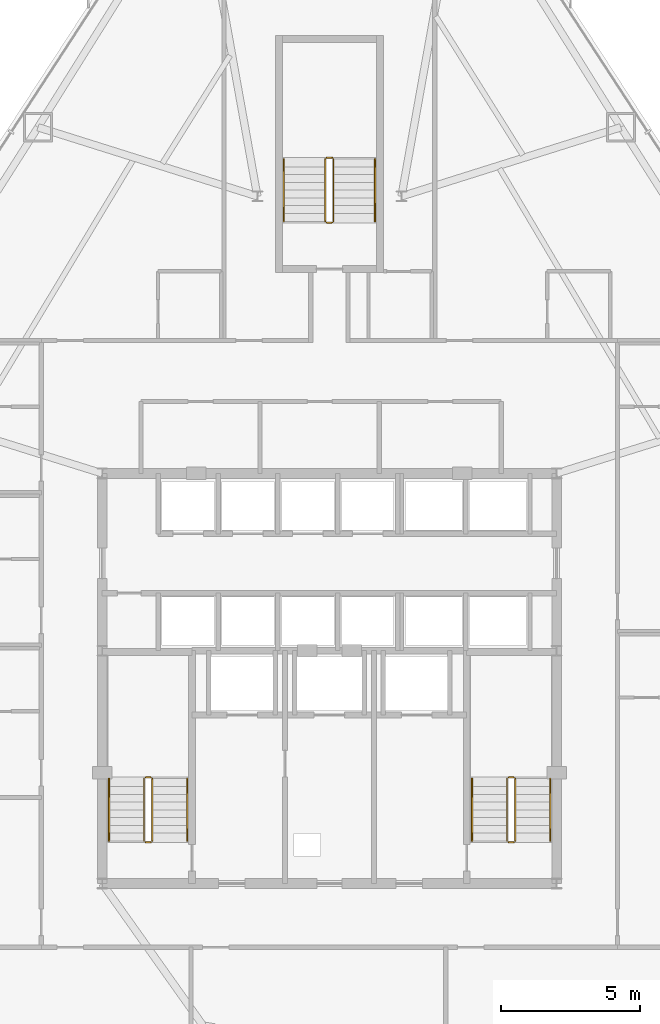
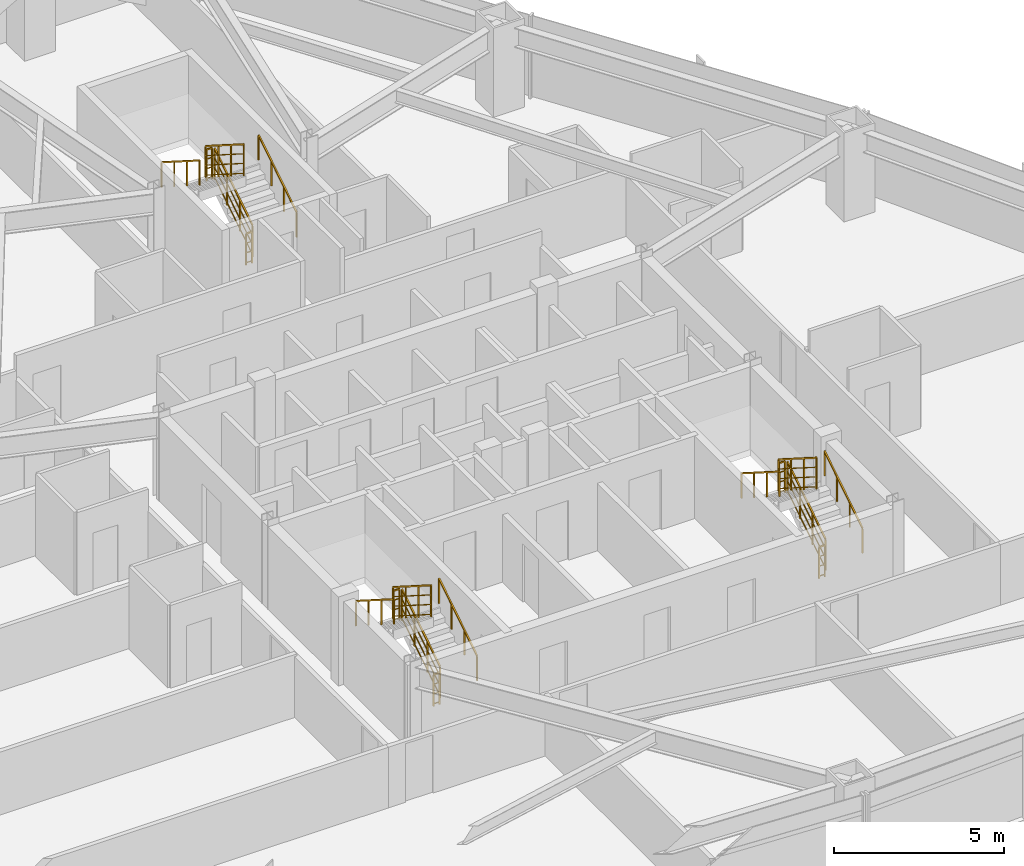
# One storey, part 12 of 12: 18 railings.
"""IFC4 building model written with IfcOpenShell, lengths in metres."""

import ifcopenshell
import ifcopenshell.guid

model = None  # the IFC model being written
_history = None  # IfcOwnerHistory: only IFC2X3 demands one
_inside = {}  # id of a spatial element -> (the spatial element, [elements in it])
_under = {}  # id of a project, library or spatial element -> (it, [spatial elements below it])
_declared = {}  # id of a project -> (the project, [libraries it declares])
_typed = {}  # id of a type object -> (the type object, [elements of that type])
_made_of = {}  # id of a material, layer set ... -> (it, [elements and type objects made of it])


def new_model(schema):
    """Start an empty IFC model of exactly this schema.

    Asked for "IFC4X3", IfcOpenShell would pick the latest addendum, in which some entities
    have other attributes; the version numbers below select the first issue.
    IFC2X3 requires an IfcOwnerHistory on every rooted entity: one is made here for all.
    """
    global model, _history
    if schema == "IFC4X3":
        model = ifcopenshell.file(schema_version=(4, 3, 0, 0))
    else:
        model = ifcopenshell.file(schema=schema)
    _inside.clear()
    _under.clear()
    _declared.clear()
    _typed.clear()
    _made_of.clear()
    _history = None
    if model.schema == "IFC2X3":
        org = make("IfcOrganization", Name="unknown")
        user = make(
            "IfcPersonAndOrganization",
            ThePerson=make("IfcPerson", FamilyName="unknown"),
            TheOrganization=org,
        )
        app = make(
            "IfcApplication",
            ApplicationDeveloper=org,
            Version="unknown",
            ApplicationFullName="unknown",
            ApplicationIdentifier="unknown",
        )
        _history = make(
            "IfcOwnerHistory",
            OwningUser=user,
            OwningApplication=app,
            ChangeAction="ADDED",
            CreationDate=0,
        )
    return model


def make(cls, **values):
    """One entity of the class cls with the attributes given. An attribute that is None is left unset."""
    return model.create_entity(
        cls, **{name: value for name, value in values.items() if value is not None}
    )


def rooted(cls, **values):
    """An entity with a GlobalId (a new one), such as an element, a storey or a relation."""
    return make(cls, GlobalId=ifcopenshell.guid.new(), OwnerHistory=_history, **values)


def si_unit(unit_type, name, prefix=None):
    """IfcSIUnit, for example si_unit("LENGTHUNIT", "METRE", prefix="MILLI")."""
    return make("IfcSIUnit", UnitType=unit_type, Prefix=prefix, Name=name)


def assignment(units):
    """IfcUnitAssignment: the units of a project."""
    return None if units is None else make("IfcUnitAssignment", Units=units)


def point(xyz):
    """IfcCartesianPoint."""
    return None if xyz is None else make("IfcCartesianPoint", Coordinates=xyz)


def direction(xyz):
    """IfcDirection."""
    return None if xyz is None else make("IfcDirection", DirectionRatios=xyz)


def frame(location, z_axis=None, x_axis=None):
    """IfcAxis2Placement3D, a coordinate frame: its origin and axes. An axis left out is left unset."""
    return make(
        "IfcAxis2Placement3D",
        Location=point(location),
        Axis=direction(z_axis),
        RefDirection=direction(x_axis),
    )


def frame_2d(location, x_axis=None):
    """IfcAxis2Placement2D, a coordinate frame in the plane: its origin and x axis."""
    return make(
        "IfcAxis2Placement2D", Location=point(location), RefDirection=direction(x_axis)
    )


def origin():
    """The frame at (0, 0, 0) with its axes left unset."""
    return frame((0.0, 0.0, 0.0))


def origin_2d():
    """The frame at (0, 0) in the plane with its x axis left unset."""
    return frame_2d((0.0, 0.0))


def place(relative_to, where):
    """IfcLocalPlacement: puts the frame where relative to a parent placement (None: the world)."""
    return make(
        "IfcLocalPlacement", PlacementRelTo=relative_to, RelativePlacement=where
    )


def context(
    kind, dimensions, precision=None, world=None, true_north=None, identifier=None
):
    """IfcGeometricRepresentationContext, for example the 3D "Model" context."""
    return make(
        "IfcGeometricRepresentationContext",
        ContextIdentifier=identifier,
        ContextType=kind,
        CoordinateSpaceDimension=dimensions,
        Precision=precision,
        WorldCoordinateSystem=world,
        TrueNorth=true_north,
    )


def subcontext(parent, identifier, kind, view, scale=None):
    """IfcGeometricRepresentationSubContext, for example "Body" below "Model"."""
    return make(
        "IfcGeometricRepresentationSubContext",
        ContextIdentifier=identifier,
        ContextType=kind,
        ParentContext=parent,
        TargetScale=scale,
        TargetView=view,
    )


def project(units=None, contexts=None):
    """IfcProject with its units and contexts."""
    return rooted(
        "IfcProject",
        Name="project",
        RepresentationContexts=contexts,
        UnitsInContext=assignment(units),
    )


def spatial(cls, under=None, at=None, **own):
    """A site, building, storey or space (cls), placed at a placement, below another one or the project."""
    s = rooted(cls, ObjectPlacement=at, **own)
    if under is not None:
        _under.setdefault(under.id(), (under, []))[1].append(s)
    return s


def profile(cls, at=None, kind="AREA", **sizes):
    """A parametric profile (cls). Its sizes go by their IFC names, for example OverallWidth=200.0."""
    return make(cls, ProfileType=kind, Position=at, **sizes)


def rectangle(**sizes):
    """IfcRectangleProfileDef."""
    return profile("IfcRectangleProfileDef", **sizes)


def extrude(swept, where, along, depth):
    """IfcExtrudedAreaSolid: the profile swept, set in the frame where, extruded along a direction by depth."""
    return make(
        "IfcExtrudedAreaSolid",
        SweptArea=swept,
        Position=where,
        ExtrudedDirection=direction(along),
        Depth=depth,
    )


def shape(context_of_items, identifier, shape_type, items):
    """IfcShapeRepresentation: the items that make up one representation, for example the "Body"."""
    return make(
        "IfcShapeRepresentation",
        ContextOfItems=context_of_items,
        RepresentationIdentifier=identifier,
        RepresentationType=shape_type,
        Items=items,
    )


def material(Name=None, Category=None):
    """IfcMaterial."""
    return make("IfcMaterial", Name=Name, Category=Category)


def made_of(thing, what):
    """Note that an element or type object is made of a material, layer set ...; save() writes the relation."""
    if what is not None:
        _made_of.setdefault(what.id(), (what, []))[1].append(thing)
    return thing


def type_object(cls, material=None, **own):
    """A type object (cls), such as IfcWallType, which elements share."""
    return made_of(rooted(cls, **own), material)


def element(
    cls,
    number,
    at=None,
    inside=None,
    cuts=None,
    type_object=None,
    material=None,
    context=None,
    identifier="Body",
    shape_type=None,
    held_by="IfcProductDefinitionShape",
    body=None,
    shapes=None,
    **own,
):
    """One element of the class cls, such as IfcWall. Its Tag is "e" and its number.

    at: its placement. inside: the storey or other place that contains it. cuts: it is an
    opening in that element (IfcRelVoidsElement). A single representation is given by context,
    identifier, shape_type and body (its items); several are given by shapes. held_by: the class
    of the entity that holds the representations. save() writes the other relations.
    """
    e = rooted(cls, Tag="e%d" % number, ObjectPlacement=at, **own)
    if body is not None:
        shapes = [shape(context, identifier, shape_type, body)]
    if shapes is not None:
        e.Representation = make(held_by, Representations=shapes)
    if inside is not None:
        _inside.setdefault(inside.id(), (inside, []))[1].append(e)
    if cuts is not None:
        rooted(
            "IfcRelVoidsElement", RelatingBuildingElement=cuts, RelatedOpeningElement=e
        )
    if type_object is not None:
        _typed.setdefault(type_object.id(), (type_object, []))[1].append(e)
    return made_of(e, material)


def aggregate(whole, parts):
    """IfcRelAggregates: a whole, such as a stair, and the parts it consists of."""
    return rooted("IfcRelAggregates", RelatingObject=whole, RelatedObjects=parts)


def save(model, path):
    """Write the relations noted so far, then the file.

    IfcRelAggregates (storeys below a building ...), IfcRelContainedInSpatialStructure (elements
    in a storey), IfcRelDefinesByType, IfcRelAssociatesMaterial and IfcRelDeclares: one each for
    every whole, place, type object, material and project.
    """
    for whole, parts in _under.values():
        aggregate(whole, parts)
    for where, things in _inside.values():
        rooted(
            "IfcRelContainedInSpatialStructure",
            RelatedElements=things,
            RelatingStructure=where,
        )
    for kind, things in _typed.values():
        rooted("IfcRelDefinesByType", RelatedObjects=things, RelatingType=kind)
    for what, things in _made_of.values():
        rooted("IfcRelAssociatesMaterial", RelatedObjects=things, RelatingMaterial=what)
    for by, libraries in _declared.values():
        rooted("IfcRelDeclares", RelatingContext=by, RelatedDefinitions=libraries)
    model.write(path)


model = new_model("IFC4")

# Units and contexts
model_context = context("Model", 3, precision=1e-05, world=origin(), true_north=direction((0.0, 1.0)))
body_context = subcontext(model_context, "Body", "Model", "MODEL_VIEW")
ifc_project = project(units=[si_unit("LENGTHUNIT", "METRE"), si_unit("AREAUNIT", "SQUARE_METRE"), si_unit("VOLUMEUNIT", "CUBIC_METRE"), si_unit("PLANEANGLEUNIT", "RADIAN"), si_unit("MASSUNIT", "GRAM", prefix="KILO")], contexts=[model_context])

# Site, building, storey
site_placement = place(None, origin())
site = spatial("IfcSite", under=ifc_project, at=site_placement, CompositionType="ELEMENT")
building_placement = place(site_placement, origin())
building = spatial("IfcBuilding", under=site, at=building_placement, Name="Varakhsha Concourse Tower", CompositionType="ELEMENT")
storey_placement = place(building_placement, frame((0.0, 0.0, 79.800048828125)))
storey = spatial("IfcBuildingStorey", under=building, at=storey_placement, Name="L22", CompositionType="ELEMENT", Elevation=79.800048828125)

# Railings
ifc_material = material(Name="Brushed Austenitic Stainless Steel AISI 316", Category="steel")
railing_type_1 = type_object("IfcRailingType", Name="RL-STAIR-GUARD-1100", PredefinedType="GUARDRAIL", material=ifc_material)
railing_1_placement = place(storey_placement, frame((33.610107421875, 17.93994140625, 0.177734375)))
element("IfcRailing", 1, at=railing_1_placement, inside=storey, type_object=railing_type_1, Name="L22 ST1 stair guard 1", PredefinedType="GUARDRAIL", context=body_context, shape_type="SweptSolid", body=[
    extrude(rectangle(XDim=0.048095703125, YDim=0.048095703125, at=origin_2d()), frame((0.0, 0.0, 1.1259765625), z_axis=(0.0, 0.8442293374, 0.53598211339), x_axis=(-1.0, 0.0, 0.0)), (0.0, 0.0, 1.0), 2.6533203125),
    extrude(rectangle(XDim=0.028076171875, YDim=0.028076171875, at=origin_2d()), frame((0.0, 0.0, 0.080078125), z_axis=(0.0, 0.8442293374, 0.53598211339), x_axis=(-1.0, 0.0, 0.0)), (0.0, 0.0, 1.0), 2.6533203125),
    extrude(rectangle(XDim=0.028076171875, YDim=0.028076171875, at=origin_2d()), frame((0.0, 0.0, 0.43701171875), z_axis=(0.0, 0.8442293374, 0.53598211339), x_axis=(-1.0, 0.0, 0.0)), (0.0, 0.0, 1.0), 2.6533203125),
    extrude(rectangle(XDim=0.028076171875, YDim=0.028076171875, at=origin_2d()), frame((0.0, 0.0, 0.781982421875), z_axis=(0.0, 0.8442293374, 0.53598211339), x_axis=(-1.0, 0.0, 0.0)), (0.0, 0.0, 1.0), 2.6533203125),
    extrude(rectangle(XDim=0.0419921875, YDim=0.0419921875, at=origin_2d()), origin(), (0.0, 0.0, 1.0), 1.101806640625),
    extrude(rectangle(XDim=0.0419921875, YDim=0.0419921875, at=origin_2d()), frame((0.0, 0.74658203125, 0.47412109375)), (0.0, 0.0, 1.0), 1.101806640625),
    extrude(rectangle(XDim=0.0419921875, YDim=0.0419921875, at=origin_2d()), frame((0.0, 1.493408203125, 0.947998046875)), (0.0, 0.0, 1.0), 1.101806640625),
    extrude(rectangle(XDim=0.0419921875, YDim=0.0419921875, at=origin_2d()), frame((0.0, 2.239990234375, 1.422119140625)), (0.0, 0.0, 1.0), 1.101806640625),
])
railing_2_placement = place(storey_placement, frame((33.56005859375, 20.22998046875, 1.599853515625)))
element("IfcRailing", 2, at=railing_2_placement, inside=storey, type_object=railing_type_1, Name="L22 ST1 stair guard 2", PredefinedType="GUARDRAIL", context=body_context, shape_type="SweptSolid", body=[
    extrude(rectangle(XDim=0.048095703125, YDim=0.048095703125, at=origin_2d()), frame((0.0, 0.0, 1.1259765625), z_axis=(-1.0, 0.0, 0.0), x_axis=(0.0, -1.0, 0.0)), (0.0, 0.0, 1.0), 0.199951171875),
    extrude(rectangle(XDim=0.028076171875, YDim=0.028076171875, at=origin_2d()), frame((0.0, 0.0, 0.080078125), z_axis=(-1.0, 0.0, 0.0), x_axis=(0.0, -1.0, 0.0)), (0.0, 0.0, 1.0), 0.199951171875),
    extrude(rectangle(XDim=0.028076171875, YDim=0.028076171875, at=origin_2d()), frame((0.0, 0.0, 0.43701171875), z_axis=(-1.0, 0.0, 0.0), x_axis=(0.0, -1.0, 0.0)), (0.0, 0.0, 1.0), 0.199951171875),
    extrude(rectangle(XDim=0.028076171875, YDim=0.028076171875, at=origin_2d()), frame((0.0, 0.0, 0.781982421875), z_axis=(-1.0, 0.0, 0.0), x_axis=(0.0, -1.0, 0.0)), (0.0, 0.0, 1.0), 0.199951171875),
    extrude(rectangle(XDim=0.0419921875, YDim=0.0419921875, at=origin_2d()), origin(), (0.0, 0.0, 1.0), 1.101806640625),
    extrude(rectangle(XDim=0.0419921875, YDim=0.0419921875, at=origin_2d()), frame((-0.199951171875, 0.0, 0.0)), (0.0, 0.0, 1.0), 1.101806640625),
])
railing_3_placement = place(storey_placement, frame((33.31005859375, 20.179931640625, 1.77783203125)))
element("IfcRailing", 3, at=railing_3_placement, inside=storey, type_object=railing_type_1, Name="L22 ST1 stair guard 3", PredefinedType="GUARDRAIL", context=body_context, shape_type="SweptSolid", body=[
    extrude(rectangle(XDim=0.048095703125, YDim=0.048095703125, at=origin_2d()), frame((0.0, 0.0, 1.1259765625), z_axis=(0.0, -0.8442293374, 0.53598211339), x_axis=(1.0, 0.0, 0.0)), (0.0, 0.0, 1.0), 2.6533203125),
    extrude(rectangle(XDim=0.028076171875, YDim=0.028076171875, at=origin_2d()), frame((0.0, 0.0, 0.080078125), z_axis=(0.0, -0.8442293374, 0.53598211339), x_axis=(1.0, 0.0, 0.0)), (0.0, 0.0, 1.0), 2.6533203125),
    extrude(rectangle(XDim=0.028076171875, YDim=0.028076171875, at=origin_2d()), frame((0.0, 0.0, 0.43701171875), z_axis=(0.0, -0.8442293374, 0.53598211339), x_axis=(1.0, 0.0, 0.0)), (0.0, 0.0, 1.0), 2.6533203125),
    extrude(rectangle(XDim=0.028076171875, YDim=0.028076171875, at=origin_2d()), frame((0.0, 0.0, 0.781982421875), z_axis=(0.0, -0.8442293374, 0.53598211339), x_axis=(1.0, 0.0, 0.0)), (0.0, 0.0, 1.0), 2.6533203125),
    extrude(rectangle(XDim=0.0419921875, YDim=0.0419921875, at=origin_2d()), origin(), (0.0, 0.0, 1.0), 1.101806640625),
    extrude(rectangle(XDim=0.0419921875, YDim=0.0419921875, at=origin_2d()), frame((0.0, -0.74658203125, 0.47412109375)), (0.0, 0.0, 1.0), 1.101806640625),
    extrude(rectangle(XDim=0.0419921875, YDim=0.0419921875, at=origin_2d()), frame((0.0, -1.493408203125, 0.947998046875)), (0.0, 0.0, 1.0), 1.101806640625),
    extrude(rectangle(XDim=0.0419921875, YDim=0.0419921875, at=origin_2d()), frame((0.0, -2.239990234375, 1.422119140625)), (0.0, 0.0, 1.0), 1.101806640625),
])
railing_4_placement = place(storey_placement, frame((33.56005859375, 17.889892578125, 0.0)))
element("IfcRailing", 4, at=railing_4_placement, inside=storey, type_object=railing_type_1, Name="L22 ST1 stair guard 4", PredefinedType="GUARDRAIL", context=body_context, shape_type="SweptSolid", body=[
    extrude(rectangle(XDim=0.048095703125, YDim=0.048095703125, at=origin_2d()), frame((0.0, 0.0, 1.1259765625), z_axis=(-1.0, 0.0, 0.0), x_axis=(0.0, -1.0, 0.0)), (0.0, 0.0, 1.0), 0.199951171875),
    extrude(rectangle(XDim=0.028076171875, YDim=0.028076171875, at=origin_2d()), frame((0.0, 0.0, 0.080078125), z_axis=(-1.0, 0.0, 0.0), x_axis=(0.0, -1.0, 0.0)), (0.0, 0.0, 1.0), 0.199951171875),
    extrude(rectangle(XDim=0.028076171875, YDim=0.028076171875, at=origin_2d()), frame((0.0, 0.0, 0.43701171875), z_axis=(-1.0, 0.0, 0.0), x_axis=(0.0, -1.0, 0.0)), (0.0, 0.0, 1.0), 0.199951171875),
    extrude(rectangle(XDim=0.028076171875, YDim=0.028076171875, at=origin_2d()), frame((0.0, 0.0, 0.781982421875), z_axis=(-1.0, 0.0, 0.0), x_axis=(0.0, -1.0, 0.0)), (0.0, 0.0, 1.0), 0.199951171875),
    extrude(rectangle(XDim=0.0419921875, YDim=0.0419921875, at=origin_2d()), origin(), (0.0, 0.0, 1.0), 1.101806640625),
    extrude(rectangle(XDim=0.0419921875, YDim=0.0419921875, at=origin_2d()), frame((-0.199951171875, 0.0, 0.0)), (0.0, 0.0, 1.0), 1.101806640625),
])
railing_5_placement = place(storey_placement, frame((46.7099609375, 17.93994140625, 0.177734375)))
element("IfcRailing", 5, at=railing_5_placement, inside=storey, type_object=railing_type_1, Name="L22 ST2 stair guard 1", PredefinedType="GUARDRAIL", context=body_context, shape_type="SweptSolid", body=[
    extrude(rectangle(XDim=0.048095703125, YDim=0.048095703125, at=origin_2d()), frame((0.0, 0.0, 1.1259765625), z_axis=(0.0, 0.8442293374, 0.53598211339), x_axis=(-1.0, 0.0, 0.0)), (0.0, 0.0, 1.0), 2.6533203125),
    extrude(rectangle(XDim=0.028076171875, YDim=0.028076171875, at=origin_2d()), frame((0.0, 0.0, 0.080078125), z_axis=(0.0, 0.8442293374, 0.53598211339), x_axis=(-1.0, 0.0, 0.0)), (0.0, 0.0, 1.0), 2.6533203125),
    extrude(rectangle(XDim=0.028076171875, YDim=0.028076171875, at=origin_2d()), frame((0.0, 0.0, 0.43701171875), z_axis=(0.0, 0.8442293374, 0.53598211339), x_axis=(-1.0, 0.0, 0.0)), (0.0, 0.0, 1.0), 2.6533203125),
    extrude(rectangle(XDim=0.028076171875, YDim=0.028076171875, at=origin_2d()), frame((0.0, 0.0, 0.781982421875), z_axis=(0.0, 0.8442293374, 0.53598211339), x_axis=(-1.0, 0.0, 0.0)), (0.0, 0.0, 1.0), 2.6533203125),
    extrude(rectangle(XDim=0.0419921875, YDim=0.0419921875, at=origin_2d()), origin(), (0.0, 0.0, 1.0), 1.101806640625),
    extrude(rectangle(XDim=0.0419921875, YDim=0.0419921875, at=origin_2d()), frame((0.0, 0.74658203125, 0.47412109375)), (0.0, 0.0, 1.0), 1.101806640625),
    extrude(rectangle(XDim=0.0419921875, YDim=0.0419921875, at=origin_2d()), frame((0.0, 1.493408203125, 0.947998046875)), (0.0, 0.0, 1.0), 1.101806640625),
    extrude(rectangle(XDim=0.0419921875, YDim=0.0419921875, at=origin_2d()), frame((0.0, 2.239990234375, 1.422119140625)), (0.0, 0.0, 1.0), 1.101806640625),
])
railing_6_placement = place(storey_placement, frame((46.659912109375, 20.22998046875, 1.599853515625)))
element("IfcRailing", 6, at=railing_6_placement, inside=storey, type_object=railing_type_1, Name="L22 ST2 stair guard 2", PredefinedType="GUARDRAIL", context=body_context, shape_type="SweptSolid", body=[
    extrude(rectangle(XDim=0.048095703125, YDim=0.048095703125, at=origin_2d()), frame((0.0, 0.0, 1.1259765625), z_axis=(-1.0, 0.0, 0.0), x_axis=(0.0, -1.0, 0.0)), (0.0, 0.0, 1.0), 0.199951171875),
    extrude(rectangle(XDim=0.028076171875, YDim=0.028076171875, at=origin_2d()), frame((0.0, 0.0, 0.080078125), z_axis=(-1.0, 0.0, 0.0), x_axis=(0.0, -1.0, 0.0)), (0.0, 0.0, 1.0), 0.199951171875),
    extrude(rectangle(XDim=0.028076171875, YDim=0.028076171875, at=origin_2d()), frame((0.0, 0.0, 0.43701171875), z_axis=(-1.0, 0.0, 0.0), x_axis=(0.0, -1.0, 0.0)), (0.0, 0.0, 1.0), 0.199951171875),
    extrude(rectangle(XDim=0.028076171875, YDim=0.028076171875, at=origin_2d()), frame((0.0, 0.0, 0.781982421875), z_axis=(-1.0, 0.0, 0.0), x_axis=(0.0, -1.0, 0.0)), (0.0, 0.0, 1.0), 0.199951171875),
    extrude(rectangle(XDim=0.0419921875, YDim=0.0419921875, at=origin_2d()), origin(), (0.0, 0.0, 1.0), 1.101806640625),
    extrude(rectangle(XDim=0.0419921875, YDim=0.0419921875, at=origin_2d()), frame((-0.199951171875, 0.0, 0.0)), (0.0, 0.0, 1.0), 1.101806640625),
])
railing_7_placement = place(storey_placement, frame((46.409912109375, 20.179931640625, 1.77783203125)))
element("IfcRailing", 7, at=railing_7_placement, inside=storey, type_object=railing_type_1, Name="L22 ST2 stair guard 3", PredefinedType="GUARDRAIL", context=body_context, shape_type="SweptSolid", body=[
    extrude(rectangle(XDim=0.048095703125, YDim=0.048095703125, at=origin_2d()), frame((0.0, 0.0, 1.1259765625), z_axis=(0.0, -0.8442293374, 0.53598211339), x_axis=(1.0, 0.0, 0.0)), (0.0, 0.0, 1.0), 2.6533203125),
    extrude(rectangle(XDim=0.028076171875, YDim=0.028076171875, at=origin_2d()), frame((0.0, 0.0, 0.080078125), z_axis=(0.0, -0.8442293374, 0.53598211339), x_axis=(1.0, 0.0, 0.0)), (0.0, 0.0, 1.0), 2.6533203125),
    extrude(rectangle(XDim=0.028076171875, YDim=0.028076171875, at=origin_2d()), frame((0.0, 0.0, 0.43701171875), z_axis=(0.0, -0.8442293374, 0.53598211339), x_axis=(1.0, 0.0, 0.0)), (0.0, 0.0, 1.0), 2.6533203125),
    extrude(rectangle(XDim=0.028076171875, YDim=0.028076171875, at=origin_2d()), frame((0.0, 0.0, 0.781982421875), z_axis=(0.0, -0.8442293374, 0.53598211339), x_axis=(1.0, 0.0, 0.0)), (0.0, 0.0, 1.0), 2.6533203125),
    extrude(rectangle(XDim=0.0419921875, YDim=0.0419921875, at=origin_2d()), origin(), (0.0, 0.0, 1.0), 1.101806640625),
    extrude(rectangle(XDim=0.0419921875, YDim=0.0419921875, at=origin_2d()), frame((0.0, -0.74658203125, 0.47412109375)), (0.0, 0.0, 1.0), 1.101806640625),
    extrude(rectangle(XDim=0.0419921875, YDim=0.0419921875, at=origin_2d()), frame((0.0, -1.493408203125, 0.947998046875)), (0.0, 0.0, 1.0), 1.101806640625),
    extrude(rectangle(XDim=0.0419921875, YDim=0.0419921875, at=origin_2d()), frame((0.0, -2.239990234375, 1.422119140625)), (0.0, 0.0, 1.0), 1.101806640625),
])
railing_8_placement = place(storey_placement, frame((46.659912109375, 17.889892578125, 0.0)))
element("IfcRailing", 8, at=railing_8_placement, inside=storey, type_object=railing_type_1, Name="L22 ST2 stair guard 4", PredefinedType="GUARDRAIL", context=body_context, shape_type="SweptSolid", body=[
    extrude(rectangle(XDim=0.048095703125, YDim=0.048095703125, at=origin_2d()), frame((0.0, 0.0, 1.1259765625), z_axis=(-1.0, 0.0, 0.0), x_axis=(0.0, -1.0, 0.0)), (0.0, 0.0, 1.0), 0.199951171875),
    extrude(rectangle(XDim=0.028076171875, YDim=0.028076171875, at=origin_2d()), frame((0.0, 0.0, 0.080078125), z_axis=(-1.0, 0.0, 0.0), x_axis=(0.0, -1.0, 0.0)), (0.0, 0.0, 1.0), 0.199951171875),
    extrude(rectangle(XDim=0.028076171875, YDim=0.028076171875, at=origin_2d()), frame((0.0, 0.0, 0.43701171875), z_axis=(-1.0, 0.0, 0.0), x_axis=(0.0, -1.0, 0.0)), (0.0, 0.0, 1.0), 0.199951171875),
    extrude(rectangle(XDim=0.028076171875, YDim=0.028076171875, at=origin_2d()), frame((0.0, 0.0, 0.781982421875), z_axis=(-1.0, 0.0, 0.0), x_axis=(0.0, -1.0, 0.0)), (0.0, 0.0, 1.0), 0.199951171875),
    extrude(rectangle(XDim=0.0419921875, YDim=0.0419921875, at=origin_2d()), origin(), (0.0, 0.0, 1.0), 1.101806640625),
    extrude(rectangle(XDim=0.0419921875, YDim=0.0419921875, at=origin_2d()), frame((-0.199951171875, 0.0, 0.0)), (0.0, 0.0, 1.0), 1.101806640625),
])
railing_9_placement = place(storey_placement, frame((40.14990234375, 40.300048828125, 0.177734375)))
element("IfcRailing", 9, at=railing_9_placement, inside=storey, type_object=railing_type_1, Name="L22 ST5 stair guard 1", PredefinedType="GUARDRAIL", context=body_context, shape_type="SweptSolid", body=[
    extrude(rectangle(XDim=0.048095703125, YDim=0.048095703125, at=origin_2d()), frame((0.0, 0.0, 1.1259765625), z_axis=(0.0, 0.8442293374, 0.53598211339), x_axis=(-1.0, 0.0, 0.0)), (0.0, 0.0, 1.0), 2.6533203125),
    extrude(rectangle(XDim=0.028076171875, YDim=0.028076171875, at=origin_2d()), frame((0.0, 0.0, 0.080078125), z_axis=(0.0, 0.8442293374, 0.53598211339), x_axis=(-1.0, 0.0, 0.0)), (0.0, 0.0, 1.0), 2.6533203125),
    extrude(rectangle(XDim=0.028076171875, YDim=0.028076171875, at=origin_2d()), frame((0.0, 0.0, 0.43701171875), z_axis=(0.0, 0.8442293374, 0.53598211339), x_axis=(-1.0, 0.0, 0.0)), (0.0, 0.0, 1.0), 2.6533203125),
    extrude(rectangle(XDim=0.028076171875, YDim=0.028076171875, at=origin_2d()), frame((0.0, 0.0, 0.781982421875), z_axis=(0.0, 0.8442293374, 0.53598211339), x_axis=(-1.0, 0.0, 0.0)), (0.0, 0.0, 1.0), 2.6533203125),
    extrude(rectangle(XDim=0.0419921875, YDim=0.0419921875, at=origin_2d()), origin(), (0.0, 0.0, 1.0), 1.101806640625),
    extrude(rectangle(XDim=0.0419921875, YDim=0.0419921875, at=origin_2d()), frame((0.0, 0.74658203125, 0.47412109375)), (0.0, 0.0, 1.0), 1.101806640625),
    extrude(rectangle(XDim=0.0419921875, YDim=0.0419921875, at=origin_2d()), frame((0.0, 1.493408203125, 0.947998046875)), (0.0, 0.0, 1.0), 1.101806640625),
    extrude(rectangle(XDim=0.0419921875, YDim=0.0419921875, at=origin_2d()), frame((0.0, 2.239990234375, 1.422119140625)), (0.0, 0.0, 1.0), 1.101806640625),
])
railing_10_placement = place(storey_placement, frame((40.10009765625, 42.590087890625, 1.599853515625)))
element("IfcRailing", 10, at=railing_10_placement, inside=storey, type_object=railing_type_1, Name="L22 ST5 stair guard 2", PredefinedType="GUARDRAIL", context=body_context, shape_type="SweptSolid", body=[
    extrude(rectangle(XDim=0.048095703125, YDim=0.048095703125, at=origin_2d()), frame((0.0, 0.0, 1.1259765625), z_axis=(-1.0, 0.0, 0.0), x_axis=(0.0, -1.0, 0.0)), (0.0, 0.0, 1.0), 0.2001953125),
    extrude(rectangle(XDim=0.028076171875, YDim=0.028076171875, at=origin_2d()), frame((0.0, 0.0, 0.080078125), z_axis=(-1.0, 0.0, 0.0), x_axis=(0.0, -1.0, 0.0)), (0.0, 0.0, 1.0), 0.2001953125),
    extrude(rectangle(XDim=0.028076171875, YDim=0.028076171875, at=origin_2d()), frame((0.0, 0.0, 0.43701171875), z_axis=(-1.0, 0.0, 0.0), x_axis=(0.0, -1.0, 0.0)), (0.0, 0.0, 1.0), 0.2001953125),
    extrude(rectangle(XDim=0.028076171875, YDim=0.028076171875, at=origin_2d()), frame((0.0, 0.0, 0.781982421875), z_axis=(-1.0, 0.0, 0.0), x_axis=(0.0, -1.0, 0.0)), (0.0, 0.0, 1.0), 0.2001953125),
    extrude(rectangle(XDim=0.0419921875, YDim=0.0419921875, at=origin_2d()), origin(), (0.0, 0.0, 1.0), 1.101806640625),
    extrude(rectangle(XDim=0.0419921875, YDim=0.0419921875, at=origin_2d()), frame((-0.2001953125, 0.0, 0.0)), (0.0, 0.0, 1.0), 1.101806640625),
])
railing_11_placement = place(storey_placement, frame((39.85009765625, 42.5400390625, 1.77783203125)))
element("IfcRailing", 11, at=railing_11_placement, inside=storey, type_object=railing_type_1, Name="L22 ST5 stair guard 3", PredefinedType="GUARDRAIL", context=body_context, shape_type="SweptSolid", body=[
    extrude(rectangle(XDim=0.048095703125, YDim=0.048095703125, at=origin_2d()), frame((0.0, 0.0, 1.1259765625), z_axis=(0.0, -0.8442293374, 0.53598211339), x_axis=(1.0, 0.0, 0.0)), (0.0, 0.0, 1.0), 2.6533203125),
    extrude(rectangle(XDim=0.028076171875, YDim=0.028076171875, at=origin_2d()), frame((0.0, 0.0, 0.080078125), z_axis=(0.0, -0.8442293374, 0.53598211339), x_axis=(1.0, 0.0, 0.0)), (0.0, 0.0, 1.0), 2.6533203125),
    extrude(rectangle(XDim=0.028076171875, YDim=0.028076171875, at=origin_2d()), frame((0.0, 0.0, 0.43701171875), z_axis=(0.0, -0.8442293374, 0.53598211339), x_axis=(1.0, 0.0, 0.0)), (0.0, 0.0, 1.0), 2.6533203125),
    extrude(rectangle(XDim=0.028076171875, YDim=0.028076171875, at=origin_2d()), frame((0.0, 0.0, 0.781982421875), z_axis=(0.0, -0.8442293374, 0.53598211339), x_axis=(1.0, 0.0, 0.0)), (0.0, 0.0, 1.0), 2.6533203125),
    extrude(rectangle(XDim=0.0419921875, YDim=0.0419921875, at=origin_2d()), origin(), (0.0, 0.0, 1.0), 1.101806640625),
    extrude(rectangle(XDim=0.0419921875, YDim=0.0419921875, at=origin_2d()), frame((0.0, -0.74658203125, 0.47412109375)), (0.0, 0.0, 1.0), 1.101806640625),
    extrude(rectangle(XDim=0.0419921875, YDim=0.0419921875, at=origin_2d()), frame((0.0, -1.493408203125, 0.947998046875)), (0.0, 0.0, 1.0), 1.101806640625),
    extrude(rectangle(XDim=0.0419921875, YDim=0.0419921875, at=origin_2d()), frame((0.0, -2.239990234375, 1.422119140625)), (0.0, 0.0, 1.0), 1.101806640625),
])
railing_12_placement = place(storey_placement, frame((40.10009765625, 40.25, 0.0)))
element("IfcRailing", 12, at=railing_12_placement, inside=storey, type_object=railing_type_1, Name="L22 ST5 stair guard 4", PredefinedType="GUARDRAIL", context=body_context, shape_type="SweptSolid", body=[
    extrude(rectangle(XDim=0.048095703125, YDim=0.048095703125, at=origin_2d()), frame((0.0, 0.0, 1.1259765625), z_axis=(-1.0, 0.0, 0.0), x_axis=(0.0, -1.0, 0.0)), (0.0, 0.0, 1.0), 0.2001953125),
    extrude(rectangle(XDim=0.028076171875, YDim=0.028076171875, at=origin_2d()), frame((0.0, 0.0, 0.080078125), z_axis=(-1.0, 0.0, 0.0), x_axis=(0.0, -1.0, 0.0)), (0.0, 0.0, 1.0), 0.2001953125),
    extrude(rectangle(XDim=0.028076171875, YDim=0.028076171875, at=origin_2d()), frame((0.0, 0.0, 0.43701171875), z_axis=(-1.0, 0.0, 0.0), x_axis=(0.0, -1.0, 0.0)), (0.0, 0.0, 1.0), 0.2001953125),
    extrude(rectangle(XDim=0.028076171875, YDim=0.028076171875, at=origin_2d()), frame((0.0, 0.0, 0.781982421875), z_axis=(-1.0, 0.0, 0.0), x_axis=(0.0, -1.0, 0.0)), (0.0, 0.0, 1.0), 0.2001953125),
    extrude(rectangle(XDim=0.0419921875, YDim=0.0419921875, at=origin_2d()), origin(), (0.0, 0.0, 1.0), 1.101806640625),
    extrude(rectangle(XDim=0.0419921875, YDim=0.0419921875, at=origin_2d()), frame((-0.2001953125, 0.0, 0.0)), (0.0, 0.0, 1.0), 1.101806640625),
])
railing_type_2 = type_object("IfcRailingType", Name="RL-STAIR-RAIL-915", PredefinedType="HANDRAIL", material=ifc_material)
railing_13_placement = place(storey_placement, frame((34.8701171875, 17.93994140625, 0.35546875)))
element("IfcRailing", 13, at=railing_13_placement, inside=storey, type_object=railing_type_2, Name="L22 ST1 stair handrail 1", PredefinedType="HANDRAIL", context=body_context, shape_type="SweptSolid", body=[
    extrude(rectangle(XDim=0.048095703125, YDim=0.048095703125, at=origin_2d()), frame((0.0, 0.0, 0.89111328125), z_axis=(0.0, 0.84418770128, 0.536047689118), x_axis=(-1.0, 0.0, 0.0)), (0.0, 0.0, 1.0), 2.6533203125),
    extrude(rectangle(XDim=0.0419921875, YDim=0.0419921875, at=origin_2d()), origin(), (0.0, 0.0, 1.0), 0.866943359375),
    extrude(rectangle(XDim=0.0419921875, YDim=0.0419921875, at=origin_2d()), frame((0.0, 0.74658203125, 0.47412109375)), (0.0, 0.0, 1.0), 0.866943359375),
    extrude(rectangle(XDim=0.0419921875, YDim=0.0419921875, at=origin_2d()), frame((0.0, 1.493408203125, 0.9482421875)), (0.0, 0.0, 1.0), 0.866943359375),
    extrude(rectangle(XDim=0.0419921875, YDim=0.0419921875, at=origin_2d()), frame((0.0, 2.239990234375, 1.42236328125)), (0.0, 0.0, 1.0), 0.866943359375),
])
railing_14_placement = place(storey_placement, frame((32.050048828125, 20.179931640625, 1.95556640625)))
element("IfcRailing", 14, at=railing_14_placement, inside=storey, type_object=railing_type_2, Name="L22 ST1 stair handrail 2", PredefinedType="HANDRAIL", context=body_context, shape_type="SweptSolid", body=[
    extrude(rectangle(XDim=0.048095703125, YDim=0.048095703125, at=origin_2d()), frame((0.0, 0.0, 0.89111328125), z_axis=(0.0, -0.8442293374, 0.53598211339), x_axis=(1.0, 0.0, 0.0)), (0.0, 0.0, 1.0), 2.6533203125),
    extrude(rectangle(XDim=0.0419921875, YDim=0.0419921875, at=origin_2d()), origin(), (0.0, 0.0, 1.0), 0.866943359375),
    extrude(rectangle(XDim=0.0419921875, YDim=0.0419921875, at=origin_2d()), frame((0.0, -0.74658203125, 0.47412109375)), (0.0, 0.0, 1.0), 0.866943359375),
    extrude(rectangle(XDim=0.0419921875, YDim=0.0419921875, at=origin_2d()), frame((0.0, -1.493408203125, 0.947998046875)), (0.0, 0.0, 1.0), 0.866943359375),
    extrude(rectangle(XDim=0.0419921875, YDim=0.0419921875, at=origin_2d()), frame((0.0, -2.239990234375, 1.422119140625)), (0.0, 0.0, 1.0), 0.866943359375),
])
railing_15_placement = place(storey_placement, frame((47.969970703125, 17.93994140625, 0.35546875)))
element("IfcRailing", 15, at=railing_15_placement, inside=storey, type_object=railing_type_2, Name="L22 ST2 stair handrail 1", PredefinedType="HANDRAIL", context=body_context, shape_type="SweptSolid", body=[
    extrude(rectangle(XDim=0.048095703125, YDim=0.048095703125, at=origin_2d()), frame((0.0, 0.0, 0.89111328125), z_axis=(0.0, 0.84418770128, 0.536047689118), x_axis=(-1.0, 0.0, 0.0)), (0.0, 0.0, 1.0), 2.6533203125),
    extrude(rectangle(XDim=0.0419921875, YDim=0.0419921875, at=origin_2d()), origin(), (0.0, 0.0, 1.0), 0.866943359375),
    extrude(rectangle(XDim=0.0419921875, YDim=0.0419921875, at=origin_2d()), frame((0.0, 0.74658203125, 0.47412109375)), (0.0, 0.0, 1.0), 0.866943359375),
    extrude(rectangle(XDim=0.0419921875, YDim=0.0419921875, at=origin_2d()), frame((0.0, 1.493408203125, 0.9482421875)), (0.0, 0.0, 1.0), 0.866943359375),
    extrude(rectangle(XDim=0.0419921875, YDim=0.0419921875, at=origin_2d()), frame((0.0, 2.239990234375, 1.42236328125)), (0.0, 0.0, 1.0), 0.866943359375),
])
railing_16_placement = place(storey_placement, frame((45.14990234375, 20.179931640625, 1.95556640625)))
element("IfcRailing", 16, at=railing_16_placement, inside=storey, type_object=railing_type_2, Name="L22 ST2 stair handrail 2", PredefinedType="HANDRAIL", context=body_context, shape_type="SweptSolid", body=[
    extrude(rectangle(XDim=0.048095703125, YDim=0.048095703125, at=origin_2d()), frame((0.0, 0.0, 0.89111328125), z_axis=(0.0, -0.8442293374, 0.53598211339), x_axis=(1.0, 0.0, 0.0)), (0.0, 0.0, 1.0), 2.6533203125),
    extrude(rectangle(XDim=0.0419921875, YDim=0.0419921875, at=origin_2d()), origin(), (0.0, 0.0, 1.0), 0.866943359375),
    extrude(rectangle(XDim=0.0419921875, YDim=0.0419921875, at=origin_2d()), frame((0.0, -0.74658203125, 0.47412109375)), (0.0, 0.0, 1.0), 0.866943359375),
    extrude(rectangle(XDim=0.0419921875, YDim=0.0419921875, at=origin_2d()), frame((0.0, -1.493408203125, 0.947998046875)), (0.0, 0.0, 1.0), 0.866943359375),
    extrude(rectangle(XDim=0.0419921875, YDim=0.0419921875, at=origin_2d()), frame((0.0, -2.239990234375, 1.422119140625)), (0.0, 0.0, 1.0), 0.866943359375),
])
railing_17_placement = place(storey_placement, frame((41.64990234375, 40.300048828125, 0.35546875)))
element("IfcRailing", 17, at=railing_17_placement, inside=storey, type_object=railing_type_2, Name="L22 ST5 stair handrail 1", PredefinedType="HANDRAIL", context=body_context, shape_type="SweptSolid", body=[
    extrude(rectangle(XDim=0.048095703125, YDim=0.048095703125, at=origin_2d()), frame((0.0, 0.0, 0.89111328125), z_axis=(0.0, 0.84418770128, 0.536047689118), x_axis=(-1.0, 0.0, 0.0)), (0.0, 0.0, 1.0), 2.6533203125),
    extrude(rectangle(XDim=0.0419921875, YDim=0.0419921875, at=origin_2d()), origin(), (0.0, 0.0, 1.0), 0.866943359375),
    extrude(rectangle(XDim=0.0419921875, YDim=0.0419921875, at=origin_2d()), frame((0.0, 0.74658203125, 0.47412109375)), (0.0, 0.0, 1.0), 0.866943359375),
    extrude(rectangle(XDim=0.0419921875, YDim=0.0419921875, at=origin_2d()), frame((0.0, 1.493408203125, 0.9482421875)), (0.0, 0.0, 1.0), 0.866943359375),
    extrude(rectangle(XDim=0.0419921875, YDim=0.0419921875, at=origin_2d()), frame((0.0, 2.239990234375, 1.42236328125)), (0.0, 0.0, 1.0), 0.866943359375),
])
railing_18_placement = place(storey_placement, frame((38.35009765625, 42.5400390625, 1.95556640625)))
element("IfcRailing", 18, at=railing_18_placement, inside=storey, type_object=railing_type_2, Name="L22 ST5 stair handrail 2", PredefinedType="HANDRAIL", context=body_context, shape_type="SweptSolid", body=[
    extrude(rectangle(XDim=0.048095703125, YDim=0.048095703125, at=origin_2d()), frame((0.0, 0.0, 0.89111328125), z_axis=(0.0, -0.8442293374, 0.53598211339), x_axis=(1.0, 0.0, 0.0)), (0.0, 0.0, 1.0), 2.6533203125),
    extrude(rectangle(XDim=0.0419921875, YDim=0.0419921875, at=origin_2d()), origin(), (0.0, 0.0, 1.0), 0.866943359375),
    extrude(rectangle(XDim=0.0419921875, YDim=0.0419921875, at=origin_2d()), frame((0.0, -0.74658203125, 0.47412109375)), (0.0, 0.0, 1.0), 0.866943359375),
    extrude(rectangle(XDim=0.0419921875, YDim=0.0419921875, at=origin_2d()), frame((0.0, -1.493408203125, 0.947998046875)), (0.0, 0.0, 1.0), 0.866943359375),
    extrude(rectangle(XDim=0.0419921875, YDim=0.0419921875, at=origin_2d()), frame((0.0, -2.239990234375, 1.422119140625)), (0.0, 0.0, 1.0), 0.866943359375),
])

save(model, "model.ifc")
